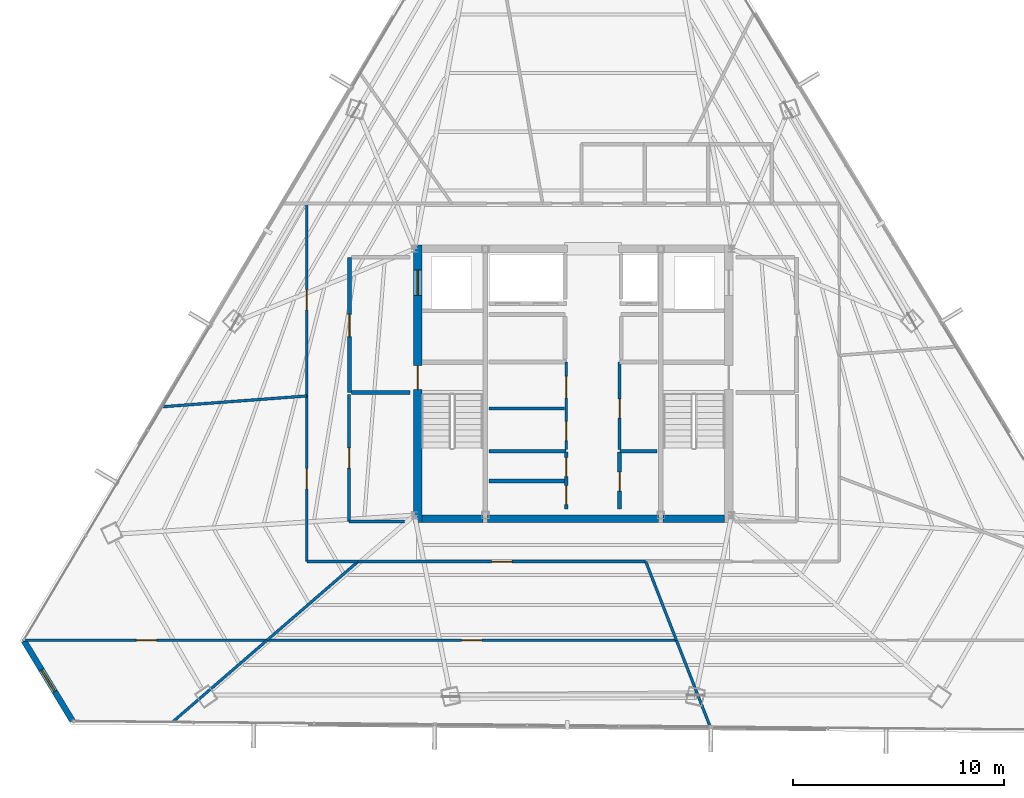
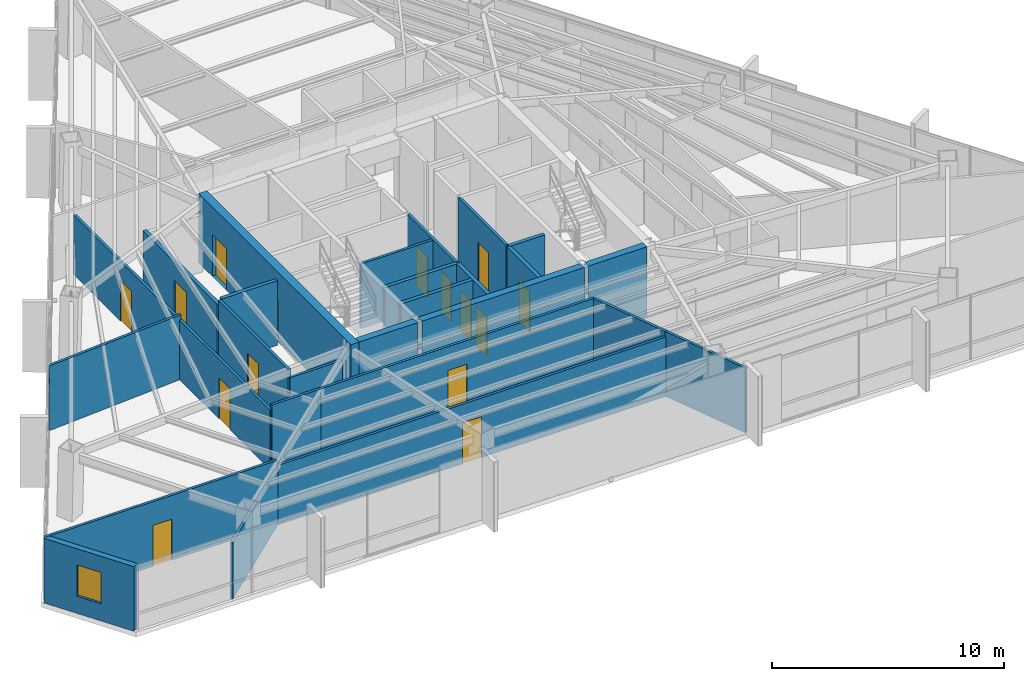
# One storey, part 42 of 47: 28 walls, 15 doors, 1 window, 16 openings.
"""IFC4 building model written with IfcOpenShell, lengths in metres."""

from ifc_helpers import new_model, si_unit, direction, frame, frame_2d, origin, place, context, subcontext, project, spatial, rectangle, extrude, material, layer, layer_set, type_object, element, fill, save


model = new_model("IFC4")

# Units and contexts
model_context = context("Model", 3, precision=1e-05, world=origin(), true_north=direction((0.0, 1.0)))
body_context = subcontext(model_context, "Body", "Model", "MODEL_VIEW")
ifc_project = project(units=[si_unit("LENGTHUNIT", "METRE"), si_unit("AREAUNIT", "SQUARE_METRE"), si_unit("VOLUMEUNIT", "CUBIC_METRE"), si_unit("PLANEANGLEUNIT", "RADIAN"), si_unit("MASSUNIT", "GRAM", prefix="KILO")], contexts=[model_context])

# Site, building, storey
site_placement = place(None, origin())
site = spatial("IfcSite", under=ifc_project, at=site_placement, CompositionType="ELEMENT")
building_placement = place(site_placement, origin())
building = spatial("IfcBuilding", under=site, at=building_placement, Name="Caelisora Broadcast Tower", CompositionType="ELEMENT")
storey_placement = place(building_placement, frame((0.0, 0.0, 229.85009765625)))
storey = spatial("IfcBuildingStorey", under=building, at=storey_placement, Name="L60", CompositionType="ELEMENT", Elevation=229.85009765625)

# Wall, openings, doors
ifc_material_1 = material(Name="Concrete 40 MPa (AS 3600 N40)", Category="concrete")
ifc_layer_1 = layer(ifc_material_1, 0.39990234375, Name="Concrete 40 MPa (AS 3600 N40)")
ifc_layer_set_1 = layer_set([ifc_layer_1], Name="Concrete 40 MPa (AS 3600 N40)")
wall_type_1 = type_object("IfcWallType", Name="CW3", PredefinedType="SHEAR", material=ifc_layer_set_1)
wall_1_placement = place(storey_placement, frame((30.639892578125, 17.050048828125, 0.0), z_axis=(0.0, 0.0, 1.0), x_axis=(0.0, 1.0, 0.0)))
wall_1 = element("IfcWall", 1, at=wall_1_placement, inside=storey, type_object=wall_type_1, Name="L60 core shear wall CW3", PredefinedType="SHEAR", context=body_context, shape_type="SweptSolid", body=[
    extrude(rectangle(XDim=13.125, YDim=0.39990234375, at=frame_2d((6.5625, 0.0))), origin(), (0.0, 0.0, 1.0), 3.64990234375),
])
opening_1_placement = place(wall_1_placement, frame((6.300048828125, 0.0, 0.0)))
opening_1 = element("IfcOpeningElement", 2, at=opening_1_placement, cuts=wall_1, Name="Opening FD04", PredefinedType="OPENING", context=body_context, shape_type="SweptSolid", body=[
    extrude(rectangle(XDim=1.1201171875, YDim=2.14990234375, at=frame_2d((0.56005859375, 1.074951171875))), frame((0.0, 0.2119140625, 0.0), z_axis=(0.0, -1.0, 0.0), x_axis=(1.0, 0.0, 0.0)), (0.0, 0.0, 1.0), 0.423828125),
])
opening_2_placement = place(wall_1_placement, frame((10.75, 0.0, 0.0)))
opening_2 = element("IfcOpeningElement", 3, at=opening_2_placement, cuts=wall_1, Name="Opening LD04", PredefinedType="OPENING", context=body_context, shape_type="SweptSolid", body=[
    extrude(rectangle(XDim=1.199951171875, YDim=2.199951171875, at=frame_2d((0.60009765625, 1.10009765625))), frame((0.0, 0.2119140625, 0.0), z_axis=(0.0, -1.0, 0.0), x_axis=(1.0, 0.0, 0.0)), (0.0, 0.0, 1.0), 0.423828125),
])
ifc_material_2 = material(Name="Pressurised Fire-Isolated Stair Door", Category="steel")
door_type_1 = type_object("IfcDoorType", Name="FD04", OperationType="NOTDEFINED", PredefinedType="DOOR", material=ifc_material_2)
door_1_placement = place(opening_1_placement, origin())
door_1 = element("IfcDoor", 4, at=door_1_placement, inside=storey, type_object=door_type_1, Name="L60 door FD04 (L60-DR-ST1)", OperationType="SINGLE_SWING_LEFT", OverallHeight=2.14990234375, OverallWidth=1.1201171875, PredefinedType="DOOR", context=body_context, shape_type="SweptSolid", body=[
    extrude(rectangle(XDim=1.1201171875, YDim=2.14990234375, at=frame_2d((0.56005859375, 1.074951171875))), frame((0.0, 0.02490234375, 0.0), z_axis=(0.0, -1.0, 0.0), x_axis=(1.0, 0.0, 0.0)), (0.0, 0.0, 1.0), 0.050048828125),
])
fill(opening_1, door_1)
ifc_material_3 = material(Name="Emergency Firefighting Lift Sliding Landing Door", Category="steel")
door_type_2 = type_object("IfcDoorType", Name="LD04", OperationType="NOTDEFINED", PredefinedType="DOOR", material=ifc_material_3)
door_2_placement = place(opening_2_placement, origin())
door_2 = element("IfcDoor", 5, at=door_2_placement, inside=storey, type_object=door_type_2, Name="L60 door LD04 (L60-LD-FFL1)", OperationType="SLIDING_TO_LEFT", OverallHeight=2.199951171875, OverallWidth=1.199951171875, PredefinedType="DOOR", context=body_context, shape_type="SweptSolid", body=[
    extrude(rectangle(XDim=1.199951171875, YDim=2.199951171875, at=frame_2d((0.60009765625, 1.10009765625))), frame((0.0, 0.02490234375, 0.0), z_axis=(0.0, -1.0, 0.0), x_axis=(1.0, 0.0, 0.0)), (0.0, 0.0, 1.0), 0.050048828125),
])
fill(opening_2, door_2)

# Walls
ifc_layer_2 = layer(ifc_material_1, 0.35009765625, Name="Concrete 40 MPa (AS 3600 N40)")
ifc_layer_set_2 = layer_set([ifc_layer_2], Name="Concrete 40 MPa (AS 3600 N40)")
wall_type_2 = type_object("IfcWallType", Name="CW6", PredefinedType="SHEAR", material=ifc_layer_set_2)
wall_2_placement = place(storey_placement, frame((30.840087890625, 17.22509765625, 0.0), z_axis=(0.0, 0.0, 1.0), x_axis=(1.0, 0.0, 0.0)))
element("IfcWall", 6, at=wall_2_placement, inside=storey, type_object=wall_type_2, Name="L60 core shear wall CW6", PredefinedType="SHEAR", context=body_context, shape_type="SweptSolid", body=[
    extrude(rectangle(XDim=2.89990234375, YDim=0.35009765625, at=frame_2d((1.449951171875, 0.0))), origin(), (0.0, 0.0, 1.0), 3.64990234375),
])
wall_3_placement = place(storey_placement, frame((33.9599609375, 17.22509765625, 0.0), z_axis=(0.0, 0.0, 1.0), x_axis=(1.0, 0.0, 0.0)))
element("IfcWall", 7, at=wall_3_placement, inside=storey, type_object=wall_type_2, Name="L60 core shear wall CW6", PredefinedType="SHEAR", context=body_context, shape_type="SweptSolid", body=[
    extrude(rectangle(XDim=8.080078125, YDim=0.35009765625, at=frame_2d((4.0400390625, 0.0))), origin(), (0.0, 0.0, 1.0), 3.64990234375),
])
wall_4_placement = place(storey_placement, frame((42.260009765625, 17.22509765625, 0.0), z_axis=(0.0, 0.0, 1.0), x_axis=(1.0, 0.0, 0.0)))
element("IfcWall", 8, at=wall_4_placement, inside=storey, type_object=wall_type_2, Name="L60 core shear wall CW6", PredefinedType="SHEAR", context=body_context, shape_type="SweptSolid", body=[
    extrude(rectangle(XDim=2.89990234375, YDim=0.35009765625, at=frame_2d((1.449951171875, 0.0))), origin(), (0.0, 0.0, 1.0), 3.64990234375),
])

# Wall, opening, window
ifc_material_4 = material(Name="Insulated Terracotta Spandrel Wall System", Category="masonry")
ifc_layer_3 = layer(ifc_material_4, 0.280029296875, Name="Insulated Terracotta Spandrel Wall System")
ifc_layer_set_3 = layer_set([ifc_layer_3], Name="Insulated Terracotta Spandrel Wall System")
wall_type_3 = type_object("IfcWallType", Name="EW1", PredefinedType="STANDARD", material=ifc_layer_set_3)
wall_5_placement = place(storey_placement, frame((14.305419921875, 7.670654296875, 0.0), z_axis=(0.0, 0.0, 1.0), x_axis=(-0.518359284285, 0.855162939092, 0.0)))
wall_5 = element("IfcWall", 9, at=wall_5_placement, inside=storey, type_object=wall_type_3, Name="L60 exterior envelope wall EW1", PredefinedType="STANDARD", context=body_context, shape_type="SweptSolid", body=[
    extrude(rectangle(XDim=4.41748046875, YDim=0.280029296875, at=frame_2d((2.208740234375, 0.0))), origin(), (0.0, 0.0, 1.0), 3.39990234375),
])
opening_3_placement = place(wall_5_placement, frame((1.610107421875, 0.0, 0.89990234375)))
opening_3 = element("IfcOpeningElement", 10, at=opening_3_placement, cuts=wall_5, Name="Opening W03", PredefinedType="OPENING", context=body_context, shape_type="SweptSolid", body=[
    extrude(rectangle(XDim=1.199951171875, YDim=1.64990234375, at=frame_2d((0.60009765625, 0.824951171875))), frame((0.0, 0.152099609375, 0.0), z_axis=(0.0, -1.0, 0.0), x_axis=(1.0, 0.0, 0.0)), (0.0, 0.0, 1.0), 0.303955078125),
])
ifc_material_5 = material(Name="Double Glazed Corner Vision Window", Category="glass")
window_type = type_object("IfcWindowType", Name="W03", PartitioningType="SINGLE_PANEL", PredefinedType="WINDOW", material=ifc_material_5)
window_placement = place(opening_3_placement, origin())
window = element("IfcWindow", 11, at=window_placement, inside=storey, type_object=window_type, Name="L60 window W03 (L60-WN-CH4)", OverallHeight=1.64990234375, OverallWidth=1.199951171875, PartitioningType="SINGLE_PANEL", PredefinedType="WINDOW", context=body_context, shape_type="SweptSolid", body=[
    extrude(rectangle(XDim=1.199951171875, YDim=1.64990234375, at=frame_2d((0.60009765625, 0.824951171875))), frame((0.0, 0.030029296875, 0.0), z_axis=(0.0, -1.0, 0.0), x_axis=(1.0, 0.0, 0.0)), (0.0, 0.0, 1.0), 0.06005859375),
])
fill(opening_3, window)

# Wall, opening, door
ifc_material_6 = material(Name="Fire-Rated Gypsum Shaft and Compartment Wall", Category="gypsum")
ifc_layer_4 = layer(ifc_material_6, 0.179931640625, Name="Fire-Rated Gypsum Shaft and Compartment Wall")
ifc_layer_set_4 = layer_set([ifc_layer_4], Name="Fire-Rated Gypsum Shaft and Compartment Wall")
wall_type_4 = type_object("IfcWallType", Name="PW2", PredefinedType="PARTITIONING", material=ifc_layer_set_4)
wall_6_placement = place(storey_placement, frame((27.419921875, 23.199951171875, 0.0), z_axis=(0.0, 0.0, 1.0), x_axis=(0.0, 1.0, 0.0)))
wall_6 = element("IfcWall", 12, at=wall_6_placement, inside=storey, type_object=wall_type_4, Name="L60 fire compartment wall PW2", PredefinedType="PARTITIONING", context=body_context, shape_type="SweptSolid", body=[
    extrude(rectangle(XDim=6.400146484375, YDim=0.179931640625, at=frame_2d((3.2001953125, 0.0))), origin(), (0.0, 0.0, 1.0), 3.128662109375),
])
opening_4_placement = place(wall_6_placement, frame((2.64990234375, 0.0, 0.0)))
opening_4 = element("IfcOpeningElement", 13, at=opening_4_placement, cuts=wall_6, Name="Opening FD02", PredefinedType="OPENING", context=body_context, shape_type="SweptSolid", body=[
    extrude(rectangle(XDim=1.050048828125, YDim=2.14990234375, at=frame_2d((0.52490234375, 1.074951171875))), frame((0.0, 0.10205078125, 0.0), z_axis=(0.0, -1.0, 0.0), x_axis=(1.0, 0.0, 0.0)), (0.0, 0.0, 1.0), 0.203857421875),
])
ifc_material_7 = material(Name="Single-Leaf Steel Fire Lobby Door", Category="steel")
door_type_3 = type_object("IfcDoorType", Name="FD02", OperationType="NOTDEFINED", PredefinedType="DOOR", material=ifc_material_7)
door_3_placement = place(opening_4_placement, origin())
door_3 = element("IfcDoor", 14, at=door_3_placement, inside=storey, type_object=door_type_3, Name="L60 door FD02 (L60-DR-P01D1)", OperationType="SINGLE_SWING_LEFT", OverallHeight=2.14990234375, OverallWidth=1.050048828125, PredefinedType="DOOR", context=body_context, shape_type="SweptSolid", body=[
    extrude(rectangle(XDim=1.050048828125, YDim=2.14990234375, at=frame_2d((0.52490234375, 1.074951171875))), frame((0.0, 0.02490234375, 0.0), z_axis=(0.0, -1.0, 0.0), x_axis=(1.0, 0.0, 0.0)), (0.0, 0.0, 1.0), 0.050048828125),
])
fill(opening_4, door_3)

# Walls
wall_7_placement = place(storey_placement, frame((27.52001953125, 23.199951171875, 0.0), z_axis=(0.0, 0.0, 1.0), x_axis=(1.0, 0.0, 0.0)))
element("IfcWall", 15, at=wall_7_placement, inside=storey, type_object=wall_type_4, Name="L60 fire compartment wall PW2", PredefinedType="PARTITIONING", context=body_context, shape_type="SweptSolid", body=[
    extrude(rectangle(XDim=2.760009765625, YDim=0.179931640625, at=frame_2d((1.3798828125, 0.0))), origin(), (0.0, 0.0, 1.0), 3.39990234375),
])
wall_8_placement = place(storey_placement, frame((34.02001953125, 20.419921875, 0.0), z_axis=(0.0, 0.0, 1.0), x_axis=(1.0, 0.0, 0.0)))
element("IfcWall", 16, at=wall_8_placement, inside=storey, type_object=wall_type_4, Name="L60 fire compartment wall PW2", PredefinedType="PARTITIONING", context=body_context, shape_type="SweptSolid", body=[
    extrude(rectangle(XDim=3.639892578125, YDim=0.179931640625, at=frame_2d((1.81982421875, 0.0))), origin(), (0.0, 0.0, 1.0), 3.39990234375),
])
wall_9_placement = place(storey_placement, frame((40.219970703125, 20.419921875, 0.0), z_axis=(0.0, 0.0, 1.0), x_axis=(1.0, 0.0, 0.0)))
element("IfcWall", 17, at=wall_9_placement, inside=storey, type_object=wall_type_4, Name="L60 fire compartment wall PW2", PredefinedType="PARTITIONING", context=body_context, shape_type="SweptSolid", body=[
    extrude(rectangle(XDim=1.760009765625, YDim=0.179931640625, at=frame_2d((0.8798828125, 0.0))), origin(), (0.0, 0.0, 1.0), 3.39990234375),
])
wall_10_placement = place(storey_placement, frame((34.02001953125, 19.02001953125, 0.0), z_axis=(0.0, 0.0, 1.0), x_axis=(1.0, 0.0, 0.0)))
element("IfcWall", 18, at=wall_10_placement, inside=storey, type_object=wall_type_4, Name="L60 fire compartment wall PW2", PredefinedType="PARTITIONING", context=body_context, shape_type="SweptSolid", body=[
    extrude(rectangle(XDim=3.580078125, YDim=0.179931640625, at=frame_2d((1.7900390625, 0.0))), origin(), (0.0, 0.0, 1.0), 3.39990234375),
])

# Wall, openings, doors
wall_11_placement = place(storey_placement, frame((37.679931640625, 17.679931640625, 0.0), z_axis=(0.0, 0.0, 1.0), x_axis=(0.0, 1.0, 0.0)))
wall_11 = element("IfcWall", 19, at=wall_11_placement, inside=storey, type_object=wall_type_4, Name="L60 fire compartment wall PW2", PredefinedType="PARTITIONING", context=body_context, shape_type="SweptSolid", body=[
    extrude(rectangle(XDim=2.699951171875, YDim=0.179931640625, at=frame_2d((1.35009765625, 0.0))), origin(), (0.0, 0.0, 1.0), 3.39990234375),
])
opening_5_placement = place(wall_11_placement, frame((0.219970703125, 0.0, 0.0)))
opening_5 = element("IfcOpeningElement", 20, at=opening_5_placement, cuts=wall_11, Name="Opening FD03", PredefinedType="OPENING", context=body_context, shape_type="SweptSolid", body=[
    extrude(rectangle(XDim=0.89990234375, YDim=2.10009765625, at=frame_2d((0.449951171875, 1.050048828125))), frame((0.0, 0.10205078125, 0.0), z_axis=(0.0, -1.0, 0.0), x_axis=(1.0, 0.0, 0.0)), (0.0, 0.0, 1.0), 0.203857421875),
])
opening_6_placement = place(wall_11_placement, frame((1.5400390625, 0.0, 0.0)))
opening_6 = element("IfcOpeningElement", 21, at=opening_6_placement, cuts=wall_11, Name="Opening FD03", PredefinedType="OPENING", context=body_context, shape_type="SweptSolid", body=[
    extrude(rectangle(XDim=0.89990234375, YDim=2.10009765625, at=frame_2d((0.449951171875, 1.050048828125))), frame((0.0, 0.10205078125, 0.0), z_axis=(0.0, -1.0, 0.0), x_axis=(1.0, 0.0, 0.0)), (0.0, 0.0, 1.0), 0.203857421875),
])
ifc_material_8 = material(Name="Single-Leaf Steel Riser Fire Access Door", Category="steel")
door_type_4 = type_object("IfcDoorType", Name="FD03", OperationType="NOTDEFINED", PredefinedType="DOOR", material=ifc_material_8)
door_4_placement = place(opening_5_placement, origin())
door_4 = element("IfcDoor", 22, at=door_4_placement, inside=storey, type_object=door_type_4, Name="L60 door FD03 (L60-DR-P15D1)", OperationType="SINGLE_SWING_RIGHT", OverallHeight=2.10009765625, OverallWidth=0.89990234375, PredefinedType="DOOR", context=body_context, shape_type="SweptSolid", body=[
    extrude(rectangle(XDim=0.89990234375, YDim=2.10009765625, at=frame_2d((0.449951171875, 1.050048828125))), frame((0.0, 0.02490234375, 0.0), z_axis=(0.0, -1.0, 0.0), x_axis=(1.0, 0.0, 0.0)), (0.0, 0.0, 1.0), 0.050048828125),
])
fill(opening_5, door_4)
door_5_placement = place(opening_6_placement, origin())
door_5 = element("IfcDoor", 23, at=door_5_placement, inside=storey, type_object=door_type_4, Name="L60 door FD03 (L60-DR-P15D2)", OperationType="SINGLE_SWING_LEFT", OverallHeight=2.10009765625, OverallWidth=0.89990234375, PredefinedType="DOOR", context=body_context, shape_type="SweptSolid", body=[
    extrude(rectangle(XDim=0.89990234375, YDim=2.10009765625, at=frame_2d((0.449951171875, 1.050048828125))), frame((0.0, 0.02490234375, 0.0), z_axis=(0.0, -1.0, 0.0), x_axis=(1.0, 0.0, 0.0)), (0.0, 0.0, 1.0), 0.050048828125),
])
fill(opening_6, door_5)

# Wall, opening, door
wall_12_placement = place(storey_placement, frame((40.199951171875, 17.679931640625, 0.0), z_axis=(0.0, 0.0, 1.0), x_axis=(0.0, 1.0, 0.0)))
wall_12 = element("IfcWall", 24, at=wall_12_placement, inside=storey, type_object=wall_type_4, Name="L60 fire compartment wall PW2", PredefinedType="PARTITIONING", context=body_context, shape_type="SweptSolid", body=[
    extrude(rectangle(XDim=2.699951171875, YDim=0.179931640625, at=frame_2d((1.35009765625, 0.0))), origin(), (0.0, 0.0, 1.0), 3.39990234375),
])
opening_7_placement = place(wall_12_placement, frame((0.85009765625, 0.0, 0.0)))
opening_7 = element("IfcOpeningElement", 25, at=opening_7_placement, cuts=wall_12, Name="Opening FD03", PredefinedType="OPENING", context=body_context, shape_type="SweptSolid", body=[
    extrude(rectangle(XDim=0.89990234375, YDim=2.10009765625, at=frame_2d((0.449951171875, 1.050048828125))), frame((0.0, 0.10205078125, 0.0), z_axis=(0.0, -1.0, 0.0), x_axis=(1.0, 0.0, 0.0)), (0.0, 0.0, 1.0), 0.203857421875),
])
door_6_placement = place(opening_7_placement, origin())
door_6 = element("IfcDoor", 26, at=door_6_placement, inside=storey, type_object=door_type_4, Name="L60 door FD03 (L60-DR-P16D1)", OperationType="SINGLE_SWING_RIGHT", OverallHeight=2.10009765625, OverallWidth=0.89990234375, PredefinedType="DOOR", context=body_context, shape_type="SweptSolid", body=[
    extrude(rectangle(XDim=0.89990234375, YDim=2.10009765625, at=frame_2d((0.449951171875, 1.050048828125))), frame((0.0, 0.02490234375, 0.0), z_axis=(0.0, -1.0, 0.0), x_axis=(1.0, 0.0, 0.0)), (0.0, 0.0, 1.0), 0.050048828125),
])
fill(opening_7, door_6)

# Wall
ifc_material_9 = material(Name="Acoustic Steel-Stud Plasterboard Partition", Category="gypsum")
ifc_layer_5 = layer(ifc_material_9, 0.1298828125, Name="Acoustic Steel-Stud Plasterboard Partition")
ifc_layer_set_5 = layer_set([ifc_layer_5], Name="Acoustic Steel-Stud Plasterboard Partition")
wall_type_5 = type_object("IfcWallType", Name="PW3", PredefinedType="PARTITIONING", material=ifc_layer_set_5)
wall_13_placement = place(storey_placement, frame((34.02001953125, 22.449951171875, 0.0), z_axis=(0.0, 0.0, 1.0), x_axis=(1.0, 0.0, 0.0)))
element("IfcWall", 27, at=wall_13_placement, inside=storey, type_object=wall_type_5, Name="L60 internal partition PW3", PredefinedType="PARTITIONING", context=body_context, shape_type="SweptSolid", body=[
    extrude(rectangle(XDim=3.580078125, YDim=0.1298828125, at=frame_2d((1.7900390625, 0.0))), origin(), (0.0, 0.0, 1.0), 3.39990234375),
])

# Wall, openings, doors
wall_14_placement = place(storey_placement, frame((37.679931640625, 20.5, 0.0), z_axis=(0.0, 0.0, 1.0), x_axis=(0.0, 1.0, 0.0)))
wall_14 = element("IfcWall", 28, at=wall_14_placement, inside=storey, type_object=wall_type_5, Name="L60 internal partition PW3", PredefinedType="PARTITIONING", context=body_context, shape_type="SweptSolid", body=[
    extrude(rectangle(XDim=4.139892578125, YDim=0.1298828125, at=frame_2d((2.06982421875, 0.0))), origin(), (0.0, 0.0, 1.0), 3.39990234375),
])
opening_8_placement = place(wall_14_placement, frame((0.419921875, 0.0, 0.0)))
opening_8 = element("IfcOpeningElement", 29, at=opening_8_placement, cuts=wall_14, Name="Opening FD03", PredefinedType="OPENING", context=body_context, shape_type="SweptSolid", body=[
    extrude(rectangle(XDim=0.89990234375, YDim=2.10009765625, at=frame_2d((0.449951171875, 1.050048828125))), frame((0.0, 0.076904296875, 0.0), z_axis=(0.0, -1.0, 0.0), x_axis=(1.0, 0.0, 0.0)), (0.0, 0.0, 1.0), 0.15380859375),
])
opening_9_placement = place(wall_14_placement, frame((2.449951171875, 0.0, 0.0)))
opening_9 = element("IfcOpeningElement", 30, at=opening_9_placement, cuts=wall_14, Name="Opening D02", PredefinedType="OPENING", context=body_context, shape_type="SweptSolid", body=[
    extrude(rectangle(XDim=1.02001953125, YDim=2.14990234375, at=frame_2d((0.510009765625, 1.074951171875))), frame((0.0, 0.076904296875, 0.0), z_axis=(0.0, -1.0, 0.0), x_axis=(1.0, 0.0, 0.0)), (0.0, 0.0, 1.0), 0.15380859375),
])
ifc_material_10 = material(Name="Solid-Core Timber Archive Suite Door", Category="wood")
door_type_5 = type_object("IfcDoorType", Name="D02", OperationType="NOTDEFINED", PredefinedType="DOOR", material=ifc_material_10)
door_7_placement = place(opening_9_placement, origin())
door_7 = element("IfcDoor", 31, at=door_7_placement, inside=storey, type_object=door_type_5, Name="L60 door D02 (L60-DR-P12D2)", OperationType="SINGLE_SWING_RIGHT", OverallHeight=2.14990234375, OverallWidth=1.02001953125, PredefinedType="DOOR", context=body_context, shape_type="SweptSolid", body=[
    extrude(rectangle(XDim=1.02001953125, YDim=2.14990234375, at=frame_2d((0.510009765625, 1.074951171875))), frame((0.0, 0.02490234375, 0.0), z_axis=(0.0, -1.0, 0.0), x_axis=(1.0, 0.0, 0.0)), (0.0, 0.0, 1.0), 0.050048828125),
])
fill(opening_9, door_7)
door_8_placement = place(opening_8_placement, origin())
door_8 = element("IfcDoor", 32, at=door_8_placement, inside=storey, type_object=door_type_4, Name="L60 door FD03 (L60-DR-P12D1)", OperationType="SINGLE_SWING_LEFT", OverallHeight=2.10009765625, OverallWidth=0.89990234375, PredefinedType="DOOR", context=body_context, shape_type="SweptSolid", body=[
    extrude(rectangle(XDim=0.89990234375, YDim=2.10009765625, at=frame_2d((0.449951171875, 1.050048828125))), frame((0.0, 0.02490234375, 0.0), z_axis=(0.0, -1.0, 0.0), x_axis=(1.0, 0.0, 0.0)), (0.0, 0.0, 1.0), 0.050048828125),
])
fill(opening_8, door_8)

# Wall, opening, door
wall_15_placement = place(storey_placement, frame((40.199951171875, 20.5, 0.0), z_axis=(0.0, 0.0, 1.0), x_axis=(0.0, 1.0, 0.0)))
wall_15 = element("IfcWall", 33, at=wall_15_placement, inside=storey, type_object=wall_type_5, Name="L60 internal partition PW3", PredefinedType="PARTITIONING", context=body_context, shape_type="SweptSolid", body=[
    extrude(rectangle(XDim=4.139892578125, YDim=0.1298828125, at=frame_2d((2.06982421875, 0.0))), origin(), (0.0, 0.0, 1.0), 3.39990234375),
])
opening_10_placement = place(wall_15_placement, frame((1.5, 0.0, 0.0)))
opening_10 = element("IfcOpeningElement", 34, at=opening_10_placement, cuts=wall_15, Name="Opening FD03", PredefinedType="OPENING", context=body_context, shape_type="SweptSolid", body=[
    extrude(rectangle(XDim=0.89990234375, YDim=2.10009765625, at=frame_2d((0.449951171875, 1.050048828125))), frame((0.0, 0.076904296875, 0.0), z_axis=(0.0, -1.0, 0.0), x_axis=(1.0, 0.0, 0.0)), (0.0, 0.0, 1.0), 0.15380859375),
])
door_9_placement = place(opening_10_placement, origin())
door_9 = element("IfcDoor", 35, at=door_9_placement, inside=storey, type_object=door_type_4, Name="L60 door FD03 (L60-DR-P13D1)", OperationType="SINGLE_SWING_LEFT", OverallHeight=2.10009765625, OverallWidth=0.89990234375, PredefinedType="DOOR", context=body_context, shape_type="SweptSolid", body=[
    extrude(rectangle(XDim=0.89990234375, YDim=2.10009765625, at=frame_2d((0.449951171875, 1.050048828125))), frame((0.0, 0.02490234375, 0.0), z_axis=(0.0, -1.0, 0.0), x_axis=(1.0, 0.0, 0.0)), (0.0, 0.0, 1.0), 0.050048828125),
])
fill(opening_10, door_9)

wall_16_placement = place(storey_placement, frame((23.52490234375, 11.47998046875, 0.0), z_axis=(0.0, 0.0, 1.0), x_axis=(1.0, 0.0, 0.0)))
wall_16 = element("IfcWall", 36, at=wall_16_placement, inside=storey, type_object=wall_type_5, Name="L60 internal partition PW3", PredefinedType="PARTITIONING", context=body_context, shape_type="SweptSolid", body=[
    extrude(rectangle(XDim=19.360107421875, YDim=0.1298828125, at=frame_2d((9.68017578125, 0.0))), origin(), (0.0, 0.0, 1.0), 3.128662109375),
])
opening_11_placement = place(wall_16_placement, frame((9.199951171875, 0.0, 0.0)))
opening_11 = element("IfcOpeningElement", 37, at=opening_11_placement, cuts=wall_16, Name="Opening D01", PredefinedType="OPENING", context=body_context, shape_type="SweptSolid", body=[
    extrude(rectangle(XDim=0.9599609375, YDim=2.14990234375, at=frame_2d((0.47998046875, 1.074951171875))), frame((0.0, 0.076904296875, 0.0), z_axis=(0.0, -1.0, 0.0), x_axis=(1.0, 0.0, 0.0)), (0.0, 0.0, 1.0), 0.15380859375),
])
ifc_material_11 = material(Name="Solid-Core Timber Acoustic Office Door", Category="wood")
door_type_6 = type_object("IfcDoorType", Name="D01", OperationType="NOTDEFINED", PredefinedType="DOOR", material=ifc_material_11)
door_10_placement = place(opening_11_placement, origin())
door_10 = element("IfcDoor", 38, at=door_10_placement, inside=storey, type_object=door_type_6, Name="L60 door D01 (L60-DR-P29D1)", OperationType="SINGLE_SWING_LEFT", OverallHeight=2.14990234375, OverallWidth=0.9599609375, PredefinedType="DOOR", context=body_context, shape_type="SweptSolid", body=[
    extrude(rectangle(XDim=0.9599609375, YDim=2.14990234375, at=frame_2d((0.47998046875, 1.074951171875))), frame((0.0, 0.02490234375, 0.0), z_axis=(0.0, -1.0, 0.0), x_axis=(1.0, 0.0, 0.0)), (0.0, 0.0, 1.0), 0.050048828125),
])
fill(opening_11, door_10)

wall_17_placement = place(storey_placement, frame((27.824951171875, 15.199951171875, 0.0), z_axis=(0.0, 0.0, 1.0), x_axis=(1.0, 0.0, 0.0)))
wall_17 = element("IfcWall", 39, at=wall_17_placement, inside=storey, type_object=wall_type_5, Name="L60 internal partition PW3", PredefinedType="PARTITIONING", context=body_context, shape_type="SweptSolid", body=[
    extrude(rectangle(XDim=13.610107421875, YDim=0.1298828125, at=frame_2d((6.80517578125, 0.0))), origin(), (0.0, 0.0, 1.0), 3.39990234375),
])
opening_12_placement = place(wall_17_placement, frame((6.324951171875, 0.0, 0.0)))
opening_12 = element("IfcOpeningElement", 40, at=opening_12_placement, cuts=wall_17, Name="Opening D01", PredefinedType="OPENING", context=body_context, shape_type="SweptSolid", body=[
    extrude(rectangle(XDim=0.9599609375, YDim=2.14990234375, at=frame_2d((0.47998046875, 1.074951171875))), frame((0.0, 0.076904296875, 0.0), z_axis=(0.0, -1.0, 0.0), x_axis=(1.0, 0.0, 0.0)), (0.0, 0.0, 1.0), 0.15380859375),
])
door_11_placement = place(opening_12_placement, origin())
door_11 = element("IfcDoor", 41, at=door_11_placement, inside=storey, type_object=door_type_6, Name="L60 door D01 (L60-DR-P31D1)", OperationType="SINGLE_SWING_RIGHT", OverallHeight=2.14990234375, OverallWidth=0.9599609375, PredefinedType="DOOR", context=body_context, shape_type="SweptSolid", body=[
    extrude(rectangle(XDim=0.9599609375, YDim=2.14990234375, at=frame_2d((0.47998046875, 1.074951171875))), frame((0.0, 0.02490234375, 0.0), z_axis=(0.0, -1.0, 0.0), x_axis=(1.0, 0.0, 0.0)), (0.0, 0.0, 1.0), 0.050048828125),
])
fill(opening_12, door_11)

wall_18_placement = place(storey_placement, frame((11.997802734375, 11.47998046875, 0.0), z_axis=(0.0, 0.0, 1.0), x_axis=(1.0, 0.0, 0.0)))
wall_18 = element("IfcWall", 42, at=wall_18_placement, inside=storey, type_object=wall_type_5, Name="L60 internal partition PW3", PredefinedType="PARTITIONING", context=body_context, shape_type="SweptSolid", body=[
    extrude(rectangle(XDim=11.51708984375, YDim=0.1298828125, at=frame_2d((5.758544921875, 0.0))), origin(), (0.0, 0.0, 1.0), 3.39990234375),
])
opening_13_placement = place(wall_18_placement, frame((5.33203125, 0.0, 0.0)))
opening_13 = element("IfcOpeningElement", 43, at=opening_13_placement, cuts=wall_18, Name="Opening D01", PredefinedType="OPENING", context=body_context, shape_type="SweptSolid", body=[
    extrude(rectangle(XDim=0.9599609375, YDim=2.14990234375, at=frame_2d((0.47998046875, 1.074951171875))), frame((0.0, 0.076904296875, 0.0), z_axis=(0.0, -1.0, 0.0), x_axis=(1.0, 0.0, 0.0)), (0.0, 0.0, 1.0), 0.15380859375),
])
door_12_placement = place(opening_13_placement, origin())
door_12 = element("IfcDoor", 44, at=door_12_placement, inside=storey, type_object=door_type_6, Name="L60 door D01 (L60-DR-P33D1)", OperationType="SINGLE_SWING_LEFT", OverallHeight=2.14990234375, OverallWidth=0.9599609375, PredefinedType="DOOR", context=body_context, shape_type="SweptSolid", body=[
    extrude(rectangle(XDim=0.9599609375, YDim=2.14990234375, at=frame_2d((0.47998046875, 1.074951171875))), frame((0.0, 0.02490234375, 0.0), z_axis=(0.0, -1.0, 0.0), x_axis=(1.0, 0.0, 0.0)), (0.0, 0.0, 1.0), 0.050048828125),
])
fill(opening_13, door_12)

wall_19_placement = place(storey_placement, frame((25.39990234375, 23.044921875, 0.0), z_axis=(0.0, 0.0, 1.0), x_axis=(0.0, 1.0, 0.0)))
wall_19 = element("IfcWall", 45, at=wall_19_placement, inside=storey, type_object=wall_type_5, Name="L60 internal partition PW3", PredefinedType="PARTITIONING", context=body_context, shape_type="SweptSolid", body=[
    extrude(rectangle(XDim=9.10009765625, YDim=0.1298828125, at=frame_2d((4.550048828125, 0.0))), origin(), (0.0, 0.0, 1.0), 3.128662109375),
])
opening_14_placement = place(wall_19_placement, frame((4.070068359375, 0.0, 0.0)))
opening_14 = element("IfcOpeningElement", 46, at=opening_14_placement, cuts=wall_19, Name="Opening D01", PredefinedType="OPENING", context=body_context, shape_type="SweptSolid", body=[
    extrude(rectangle(XDim=0.9599609375, YDim=2.14990234375, at=frame_2d((0.47998046875, 1.074951171875))), frame((0.0, 0.076904296875, 0.0), z_axis=(0.0, -1.0, 0.0), x_axis=(1.0, 0.0, 0.0)), (0.0, 0.0, 1.0), 0.15380859375),
])
door_13_placement = place(opening_14_placement, origin())
door_13 = element("IfcDoor", 47, at=door_13_placement, inside=storey, type_object=door_type_6, Name="L60 door D01 (L60-DR-P36D1)", OperationType="SINGLE_SWING_LEFT", OverallHeight=2.14990234375, OverallWidth=0.9599609375, PredefinedType="DOOR", context=body_context, shape_type="SweptSolid", body=[
    extrude(rectangle(XDim=0.9599609375, YDim=2.14990234375, at=frame_2d((0.47998046875, 1.074951171875))), frame((0.0, 0.02490234375, 0.0), z_axis=(0.0, -1.0, 0.0), x_axis=(1.0, 0.0, 0.0)), (0.0, 0.0, 1.0), 0.050048828125),
])
fill(opening_14, door_13)

wall_20_placement = place(storey_placement, frame((25.39990234375, 23.034912109375, 0.0), z_axis=(0.0, 0.0, 1.0), x_axis=(0.0, -1.0, 0.0)))
wall_20 = element("IfcWall", 48, at=wall_20_placement, inside=storey, type_object=wall_type_5, Name="L60 internal partition PW3", PredefinedType="PARTITIONING", context=body_context, shape_type="SweptSolid", body=[
    extrude(rectangle(XDim=7.829833984375, YDim=0.1298828125, at=frame_2d((3.9150390625, 0.0))), origin(), (0.0, 0.0, 1.0), 3.128662109375),
])
opening_15_placement = place(wall_20_placement, frame((3.43505859375, 0.0, 0.0)))
opening_15 = element("IfcOpeningElement", 49, at=opening_15_placement, cuts=wall_20, Name="Opening D01", PredefinedType="OPENING", context=body_context, shape_type="SweptSolid", body=[
    extrude(rectangle(XDim=0.9599609375, YDim=2.14990234375, at=frame_2d((0.47998046875, 1.074951171875))), frame((0.0, 0.076904296875, 0.0), z_axis=(0.0, -1.0, 0.0), x_axis=(1.0, 0.0, 0.0)), (0.0, 0.0, 1.0), 0.15380859375),
])
door_14_placement = place(opening_15_placement, origin())
door_14 = element("IfcDoor", 50, at=door_14_placement, inside=storey, type_object=door_type_6, Name="L60 door D01 (L60-DR-P38D1)", OperationType="SINGLE_SWING_RIGHT", OverallHeight=2.14990234375, OverallWidth=0.9599609375, PredefinedType="DOOR", context=body_context, shape_type="SweptSolid", body=[
    extrude(rectangle(XDim=0.9599609375, YDim=2.14990234375, at=frame_2d((0.47998046875, 1.074951171875))), frame((0.0, 0.02490234375, 0.0), z_axis=(0.0, -1.0, 0.0), x_axis=(1.0, 0.0, 0.0)), (0.0, 0.0, 1.0), 0.050048828125),
])
fill(opening_15, door_14)

# Walls
wall_21_placement = place(storey_placement, frame((18.563232421875, 22.528564453125, 0.0), z_axis=(0.0, 0.0, 1.0), x_axis=(0.997209201341, 0.074657945067, 0.0)))
element("IfcWall", 51, at=wall_21_placement, inside=storey, type_object=wall_type_5, Name="L60 internal partition PW3", PredefinedType="PARTITIONING", context=body_context, shape_type="SweptSolid", body=[
    extrude(rectangle(XDim=6.850830078125, YDim=0.1298828125, at=frame_2d((3.42529296875, 0.0))), origin(), (0.0, 0.0, 1.0), 3.39990234375),
])
wall_22_placement = place(storey_placement, frame((19.03369140625, 7.598388671875, 0.0), z_axis=(0.0, 0.0, 1.0), x_axis=(0.756198468209, 0.654342323771, 0.0)))
element("IfcWall", 52, at=wall_22_placement, inside=storey, type_object=wall_type_5, Name="L60 internal partition PW3", PredefinedType="PARTITIONING", context=body_context, shape_type="SweptSolid", body=[
    extrude(rectangle(XDim=5.927490234375, YDim=0.1298828125, at=frame_2d((2.9638671875, 0.0))), origin(), (0.0, 0.0, 1.0), 2.98486328125),
])

# Wall, opening, door
wall_23_placement = place(storey_placement, frame((27.39990234375, 17.10498046875, 0.0), z_axis=(0.0, 0.0, 1.0), x_axis=(0.0, 1.0, 0.0)))
wall_23 = element("IfcWall", 53, at=wall_23_placement, inside=storey, type_object=wall_type_5, Name="L60 internal partition PW3", PredefinedType="PARTITIONING", context=body_context, shape_type="SweptSolid", body=[
    extrude(rectangle(XDim=6.0, YDim=0.1298828125, at=frame_2d((3.0, 0.0))), origin(), (0.0, 0.0, 1.0), 3.39990234375),
])
opening_16_placement = place(wall_23_placement, frame((2.52001953125, 0.0, 0.0)))
opening_16 = element("IfcOpeningElement", 54, at=opening_16_placement, cuts=wall_23, Name="Opening D01", PredefinedType="OPENING", context=body_context, shape_type="SweptSolid", body=[
    extrude(rectangle(XDim=0.9599609375, YDim=2.14990234375, at=frame_2d((0.47998046875, 1.074951171875))), frame((0.0, 0.076904296875, 0.0), z_axis=(0.0, -1.0, 0.0), x_axis=(1.0, 0.0, 0.0)), (0.0, 0.0, 1.0), 0.15380859375),
])
door_15_placement = place(opening_16_placement, origin())
door_15 = element("IfcDoor", 55, at=door_15_placement, inside=storey, type_object=door_type_6, Name="L60 door D01 (L60-DR-P45D1)", OperationType="SINGLE_SWING_RIGHT", OverallHeight=2.14990234375, OverallWidth=0.9599609375, PredefinedType="DOOR", context=body_context, shape_type="SweptSolid", body=[
    extrude(rectangle(XDim=0.9599609375, YDim=2.14990234375, at=frame_2d((0.47998046875, 1.074951171875))), frame((0.0, 0.02490234375, 0.0), z_axis=(0.0, -1.0, 0.0), x_axis=(1.0, 0.0, 0.0)), (0.0, 0.0, 1.0), 0.050048828125),
])
fill(opening_16, door_15)

# Walls
wall_24_placement = place(storey_placement, frame((23.52392578125, 11.48291015625, 0.0), z_axis=(0.0, 0.0, 1.0), x_axis=(0.756178505734, 0.654365392931, 0.0)))
element("IfcWall", 56, at=wall_24_placement, inside=storey, type_object=wall_type_5, Name="L60 internal partition PW3", PredefinedType="PARTITIONING", context=body_context, shape_type="SweptSolid", body=[
    extrude(rectangle(XDim=5.67578125, YDim=0.1298828125, at=frame_2d((2.837890625, 0.0))), origin(), (0.0, 0.0, 1.0), 2.98486328125),
])
wall_25_placement = place(storey_placement, frame((42.89208984375, 11.47509765625, 0.0), z_axis=(0.0, 0.0, 1.0), x_axis=(0.363684450686, -0.931522206031, 0.0)))
element("IfcWall", 57, at=wall_25_placement, inside=storey, type_object=wall_type_5, Name="L60 internal partition PW3", PredefinedType="PARTITIONING", context=body_context, shape_type="SweptSolid", body=[
    extrude(rectangle(XDim=4.404296875, YDim=0.1298828125, at=frame_2d((2.2021484375, 0.0))), origin(), (0.0, 0.0, 1.0), 3.39990234375),
])
wall_26_placement = place(storey_placement, frame((41.44189453125, 15.195068359375, 0.0), z_axis=(0.0, 0.0, 1.0), x_axis=(0.363162195268, -0.931725936061, 0.0)))
element("IfcWall", 58, at=wall_26_placement, inside=storey, type_object=wall_type_5, Name="L60 internal partition PW3", PredefinedType="PARTITIONING", context=body_context, shape_type="SweptSolid", body=[
    extrude(rectangle(XDim=3.98193359375, YDim=0.1298828125, at=frame_2d((1.990966796875, 0.0))), origin(), (0.0, 0.0, 1.0), 3.39990234375),
])
wall_27_placement = place(storey_placement, frame((30.014892578125, 17.10009765625, 0.0), z_axis=(0.0, 0.0, 1.0), x_axis=(-1.0, 0.0, 0.0)))
element("IfcWall", 59, at=wall_27_placement, inside=storey, type_object=wall_type_5, Name="L60 internal partition PW3", PredefinedType="PARTITIONING", context=body_context, shape_type="SweptSolid", body=[
    extrude(rectangle(XDim=2.60986328125, YDim=0.1298828125, at=frame_2d((1.304931640625, 0.0))), origin(), (0.0, 0.0, 1.0), 2.98486328125),
])
wall_28_placement = place(storey_placement, frame((25.405029296875, 15.199951171875, 0.0), z_axis=(0.0, 0.0, 1.0), x_axis=(1.0, 0.0, 0.0)))
element("IfcWall", 60, at=wall_28_placement, inside=storey, type_object=wall_type_5, Name="L60 internal partition PW3", PredefinedType="PARTITIONING", context=body_context, shape_type="SweptSolid", body=[
    extrude(rectangle(XDim=2.409912109375, YDim=0.1298828125, at=frame_2d((1.205078125, 0.0))), origin(), (0.0, 0.0, 1.0), 3.39990234375),
])

save(model, "model.ifc")
